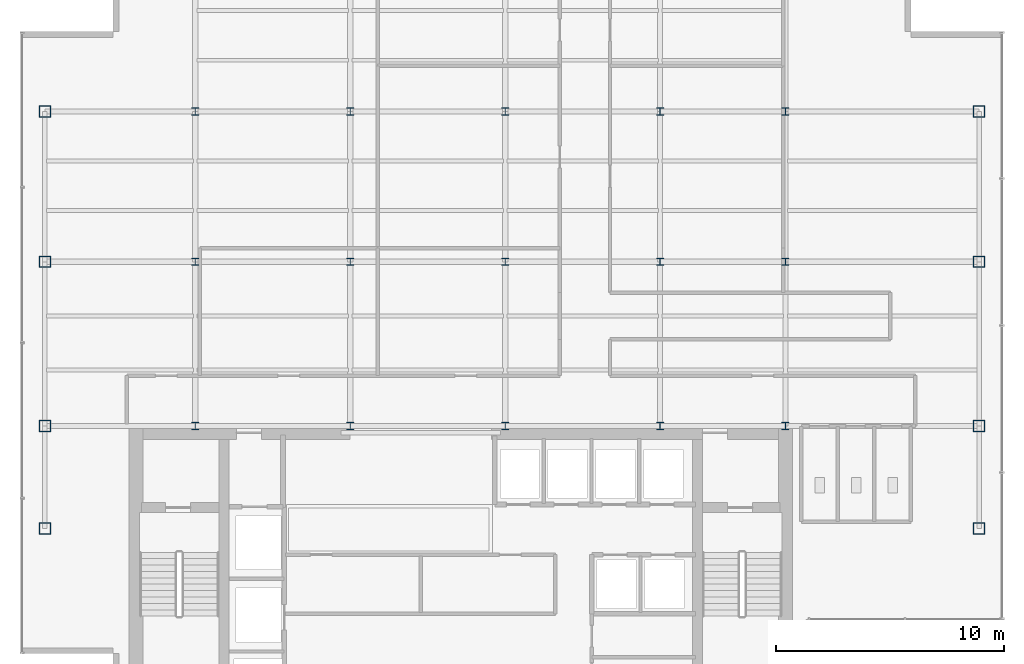
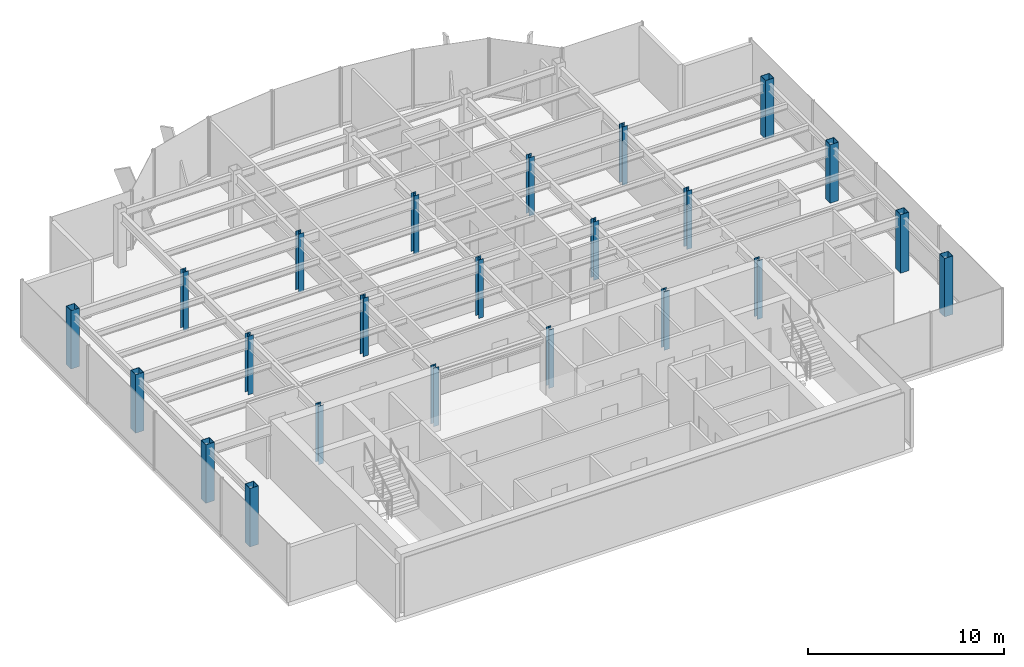
# One storey, part 1 of 22: 23 columns.
"""IFC4 building model written with IfcOpenShell, lengths in metres."""

from ifc_helpers import new_model, si_unit, derived_unit, direction, frame, origin, origin_2d, place, context, subcontext, project, spatial, hollow_rectangle, i_section, extrude, source, transform, mapped, material, material_profile, profile_set, type_object, element, save


model = new_model("IFC4")

# Units and contexts
model_context = context("Model", 3, precision=1e-05, world=origin(), true_north=direction((0.0, 1.0)))
body_context = subcontext(model_context, "Body", "Model", "MODEL_VIEW")
ifc_project = project(units=[si_unit("LENGTHUNIT", "METRE"), si_unit("AREAUNIT", "SQUARE_METRE"), si_unit("VOLUMEUNIT", "CUBIC_METRE"), si_unit("PLANEANGLEUNIT", "RADIAN"), si_unit("MASSUNIT", "GRAM", prefix="KILO"), derived_unit("THERMALTRANSMITTANCEUNIT", [(si_unit("POWERUNIT", "WATT"), 1), (si_unit("LENGTHUNIT", "METRE"), -2), (si_unit("THERMODYNAMICTEMPERATUREUNIT", "KELVIN"), -1)])], contexts=[model_context])

# Site, building, storey
site_placement = place(None, origin())
site = spatial("IfcSite", under=ifc_project, at=site_placement, CompositionType="ELEMENT")
building_placement = place(site_placement, origin())
building = spatial("IfcBuilding", under=site, at=building_placement, Name="Skarnbrae Concourse Arena and Tower", CompositionType="ELEMENT")
storey_placement = place(building_placement, frame((0.0, 0.0, 217.800048828125)))
storey = spatial("IfcBuildingStorey", under=building, at=storey_placement, Name="L56", CompositionType="ELEMENT", Elevation=217.800048828125)

# Columns
ifc_material = material(Name="Steel CSA G40.21 350W", Category="steel")
ifc_material_profile_1 = material_profile(ifc_material, hollow_rectangle(XDim=0.5, YDim=0.5, WallThickness=0.02197265625, at=origin_2d()), Name="HSS500X500X22.0")
ifc_profile_set_1 = profile_set([ifc_material_profile_1], Name="Steel CSA G40.21 350W")
column_type_1 = type_object("IfcColumnType", Name="COL-TUBE-HSS500", PredefinedType="COLUMN", material=ifc_profile_set_1)
shared_shape_1 = source(origin(), body_context, "Body", "SweptSolid", [
    extrude(hollow_rectangle(XDim=0.5, YDim=0.5, WallThickness=0.02197265625, at=origin_2d()), origin(), (0.0, 0.0, 1.0), 3.64990234375),
])
for number, where, z_axis, x_axis, name in (
    (1, (1.0, 9.5, 0.0), (0.0, 0.0, 1.0), (1.0, 0.0, 0.0), "L56 Tower column PC_01_01"),
    (2, (1.0, 14.0, 0.0), (0.0, 0.0, 1.0), (1.0, 0.0, 0.0), "L56 Tower column PC_01_02"),
    (3, (1.0, 21.199951171875, 0.0), (0.0, 0.0, 1.0), (1.0, 0.0, 0.0), "L56 Tower column PC_01_03"),
    (4, (1.0, 27.800048828125, 0.0), (0.0, 0.0, 1.0), (1.0, 0.0, 0.0), "L56 Tower column PC_01_04"),
    (5, (42.0, 9.5, 0.0), (0.0, 0.0, 1.0), (1.0, 0.0, 0.0), "L56 Tower column PC_07_01"),
    (6, (42.0, 14.0, 0.0), (0.0, 0.0, 1.0), (1.0, 0.0, 0.0), "L56 Tower column PC_07_02"),
    (7, (42.0, 21.199951171875, 0.0), (0.0, 0.0, 1.0), (1.0, 0.0, 0.0), "L56 Tower column PC_07_03"),
    (8, (42.0, 27.800048828125, 0.0), (0.0, 0.0, 1.0), (1.0, 0.0, 0.0), "L56 Tower column PC_07_04"),
):
    element("IfcColumn", number, at=place(storey_placement, frame(where, z_axis=z_axis, x_axis=x_axis)), inside=storey, type_object=column_type_1, Name=name, PredefinedType="COLUMN", context=body_context, shape_type="MappedRepresentation", body=[
        mapped(shared_shape_1, transform((0.0, 0.0, 0.0))),
    ])
ifc_material_profile_2 = material_profile(ifc_material, i_section(OverallWidth=0.30908203125, OverallDepth=0.322998046875, WebThickness=0.013916015625, FlangeThickness=0.02294921875, at=origin_2d()), Name="W310X143")
ifc_profile_set_2 = profile_set([ifc_material_profile_2], Name="Steel CSA G40.21 350W")
column_type_2 = type_object("IfcColumnType", Name="COL-INT-W310X143", PredefinedType="COLUMN", material=ifc_profile_set_2)
shared_shape_2 = source(origin(), body_context, "Body", "SweptSolid", [
    extrude(i_section(OverallWidth=0.30908203125, OverallDepth=0.322998046875, WebThickness=0.013916015625, FlangeThickness=0.02294921875, at=origin_2d()), origin(), (0.0, 0.0, 1.0), 3.64990234375),
])
for number, where, z_axis, x_axis, name in (
    (9, (7.60009765625, 14.0, 0.0), (0.0, 0.0, 1.0), (1.0, 0.0, 0.0), "L56 Tower column IC_02_02"),
    (10, (7.60009765625, 21.199951171875, 0.0), (0.0, 0.0, 1.0), (1.0, 0.0, 0.0), "L56 Tower column IC_02_03"),
    (11, (7.60009765625, 27.800048828125, 0.0), (0.0, 0.0, 1.0), (1.0, 0.0, 0.0), "L56 Tower column IC_02_04"),
    (12, (14.39990234375, 14.0, 0.0), (0.0, 0.0, 1.0), (1.0, 0.0, 0.0), "L56 Tower column IC_03_02"),
    (13, (14.39990234375, 21.199951171875, 0.0), (0.0, 0.0, 1.0), (1.0, 0.0, 0.0), "L56 Tower column IC_03_03"),
    (14, (14.39990234375, 27.800048828125, 0.0), (0.0, 0.0, 1.0), (1.0, 0.0, 0.0), "L56 Tower column IC_03_04"),
    (15, (21.199951171875, 14.0, 0.0), (0.0, 0.0, 1.0), (1.0, 0.0, 0.0), "L56 Tower column IC_04_02"),
    (16, (21.199951171875, 21.199951171875, 0.0), (0.0, 0.0, 1.0), (1.0, 0.0, 0.0), "L56 Tower column IC_04_03"),
    (17, (21.199951171875, 27.800048828125, 0.0), (0.0, 0.0, 1.0), (1.0, 0.0, 0.0), "L56 Tower column IC_04_04"),
    (18, (28.0, 14.0, 0.0), (0.0, 0.0, 1.0), (1.0, 0.0, 0.0), "L56 Tower column IC_05_02"),
    (19, (28.0, 21.199951171875, 0.0), (0.0, 0.0, 1.0), (1.0, 0.0, 0.0), "L56 Tower column IC_05_03"),
    (20, (28.0, 27.800048828125, 0.0), (0.0, 0.0, 1.0), (1.0, 0.0, 0.0), "L56 Tower column IC_05_04"),
    (21, (33.5, 14.0, 0.0), (0.0, 0.0, 1.0), (1.0, 0.0, 0.0), "L56 Tower column IC_06_02"),
    (22, (33.5, 21.199951171875, 0.0), (0.0, 0.0, 1.0), (1.0, 0.0, 0.0), "L56 Tower column IC_06_03"),
    (23, (33.5, 27.800048828125, 0.0), (0.0, 0.0, 1.0), (1.0, 0.0, 0.0), "L56 Tower column IC_06_04"),
):
    element("IfcColumn", number, at=place(storey_placement, frame(where, z_axis=z_axis, x_axis=x_axis)), inside=storey, type_object=column_type_2, Name=name, PredefinedType="COLUMN", context=body_context, shape_type="MappedRepresentation", body=[
        mapped(shared_shape_2, transform((0.0, 0.0, 0.0))),
    ])

save(model, "model.ifc")
